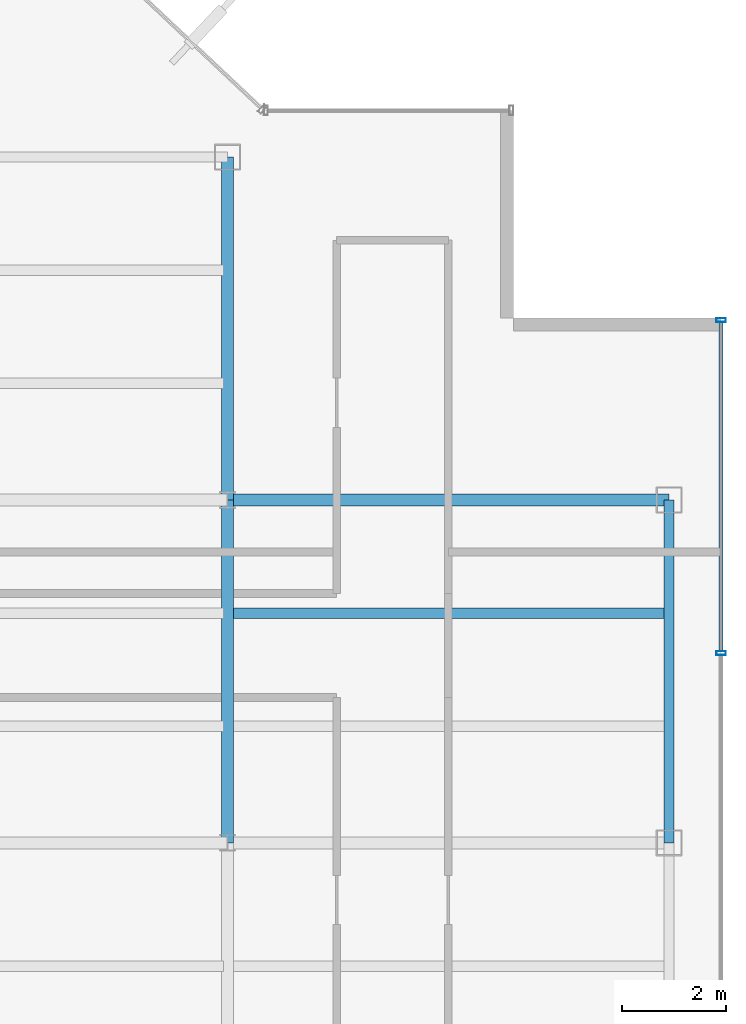
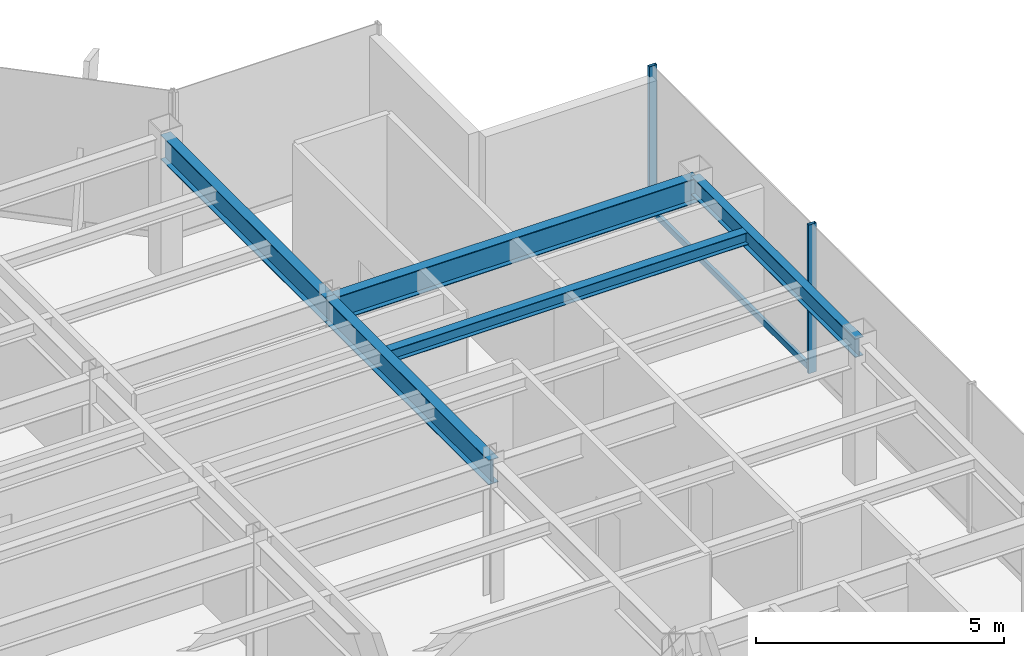
# One storey, part 11 of 22: 5 beams, 3 members, 1 element without a shape of its own.
"""IFC4 building model written with IfcOpenShell, lengths in metres."""

from ifc_helpers import new_model, si_unit, derived_unit, direction, frame, origin, origin_2d, place, context, subcontext, project, spatial, hollow_rectangle, i_section, extrude, source, transform, mapped, material, material_profile, profile_set, type_object, element, aggregate, save


model = new_model("IFC4")

# Units and contexts
model_context = context("Model", 3, precision=1e-05, world=origin(), true_north=direction((0.0, 1.0)))
body_context = subcontext(model_context, "Body", "Model", "MODEL_VIEW")
ifc_project = project(units=[si_unit("LENGTHUNIT", "METRE"), si_unit("AREAUNIT", "SQUARE_METRE"), si_unit("VOLUMEUNIT", "CUBIC_METRE"), si_unit("PLANEANGLEUNIT", "RADIAN"), si_unit("MASSUNIT", "GRAM", prefix="KILO"), derived_unit("THERMALTRANSMITTANCEUNIT", [(si_unit("POWERUNIT", "WATT"), 1), (si_unit("LENGTHUNIT", "METRE"), -2), (si_unit("THERMODYNAMICTEMPERATUREUNIT", "KELVIN"), -1)])], contexts=[model_context])

# Site, building, storey
site_placement = place(None, origin())
site = spatial("IfcSite", under=ifc_project, at=site_placement, CompositionType="ELEMENT")
building_placement = place(site_placement, origin())
building = spatial("IfcBuilding", under=site, at=building_placement, Name="Skarnbrae Concourse Arena and Tower", CompositionType="ELEMENT")
storey_placement = place(building_placement, frame((0.0, 0.0, 266.10009765625)))
storey = spatial("IfcBuildingStorey", under=building, at=storey_placement, Name="L69", CompositionType="ELEMENT", Elevation=266.10009765625)

# Beams
ifc_material_1 = material(Name="Steel CSA G40.21 350W", Category="steel")
ifc_material_profile_1 = material_profile(ifc_material_1, i_section(OverallWidth=0.22802734375, OverallDepth=0.60791015625, WebThickness=0.01123046875, FlangeThickness=0.017333984375, at=origin_2d()), Name="W610X113")
ifc_profile_set_1 = profile_set([ifc_material_profile_1], Name="Steel CSA G40.21 350W")
beam_type_1 = type_object("IfcBeamType", Name="BM-GIRD-W610X113", PredefinedType="BEAM", material=ifc_profile_set_1)
shared_shape_1 = source(origin(), body_context, "Body", "SweptSolid", [
    extrude(i_section(OverallWidth=0.22802734375, OverallDepth=0.60791015625, WebThickness=0.01123046875, FlangeThickness=0.017333984375, at=origin_2d()), origin(), (0.0, 0.0, 1.0), 6.60009765625),
])
beam_1_placement = place(storey_placement, frame((33.5, 21.199951171875, 3.095947265625), z_axis=(0.0, 1.0, 0.0), x_axis=(-1.0, 0.0, 0.0)))
element("IfcBeam", 1, at=beam_1_placement, inside=storey, type_object=beam_type_1, Name="L69 Primary N-S girder X33.5-2", PredefinedType="BEAM", context=body_context, shape_type="MappedRepresentation", body=[
    mapped(shared_shape_1, transform((0.0, 0.0, 0.0))),
])
shared_shape_2 = source(origin(), body_context, "Body", "SweptSolid", [
    extrude(i_section(OverallWidth=0.22802734375, OverallDepth=0.60791015625, WebThickness=0.01123046875, FlangeThickness=0.017333984375, at=origin_2d()), origin(), (0.0, 0.0, 1.0), 8.5),
])
beam_2_placement = place(storey_placement, frame((33.5, 27.800048828125, 3.095947265625), z_axis=(1.0, 0.0, 0.0), x_axis=(0.0, 1.0, 0.0)))
element("IfcBeam", 2, at=beam_2_placement, inside=storey, type_object=beam_type_1, Name="L69 Primary E-W girder Y27.8-6", PredefinedType="BEAM", context=body_context, shape_type="MappedRepresentation", body=[
    mapped(shared_shape_2, transform((0.0, 0.0, 0.0))),
])
ifc_material_profile_2 = material_profile(ifc_material_1, i_section(OverallWidth=0.19091796875, OverallDepth=0.4599609375, WebThickness=0.010009765625, FlangeThickness=0.01611328125, at=origin_2d()), Name="W460X82")
ifc_profile_set_2 = profile_set([ifc_material_profile_2], Name="Steel CSA G40.21 350W")
beam_type_2 = type_object("IfcBeamType", Name="BM-SPAN-W460X82", PredefinedType="SPANDREL", material=ifc_profile_set_2)
shared_shape_3 = source(origin(), body_context, "Body", "SweptSolid", [
    extrude(i_section(OverallWidth=0.19091796875, OverallDepth=0.4599609375, WebThickness=0.010009765625, FlangeThickness=0.01611328125, at=origin_2d()), origin(), (0.0, 0.0, 1.0), 6.60009765625),
])
beam_3_placement = place(storey_placement, frame((42.0, 21.199951171875, 3.169921875), z_axis=(0.0, 1.0, 0.0), x_axis=(-1.0, 0.0, 0.0)))
element("IfcBeam", 3, at=beam_3_placement, inside=storey, type_object=beam_type_2, Name="L69 Perimeter spandrel X42.0-3", PredefinedType="SPANDREL", context=body_context, shape_type="MappedRepresentation", body=[
    mapped(shared_shape_3, transform((0.0, 0.0, 0.0))),
])
shared_shape_4 = source(origin(), body_context, "Body", "SweptSolid", [
    extrude(i_section(OverallWidth=0.22802734375, OverallDepth=0.60791015625, WebThickness=0.01123046875, FlangeThickness=0.017333984375, at=origin_2d()), origin(), (0.0, 0.0, 1.0), 6.599853515625),
])
beam_4_placement = place(storey_placement, frame((33.5, 27.800048828125, 3.095947265625), z_axis=(0.0, 1.0, 0.0), x_axis=(-1.0, 0.0, 0.0)))
element("IfcBeam", 4, at=beam_4_placement, inside=storey, type_object=beam_type_1, Name="L69 Primary N-S girder X33.5-3", PredefinedType="BEAM", context=body_context, shape_type="MappedRepresentation", body=[
    mapped(shared_shape_4, transform((0.0, 0.0, 0.0))),
])
ifc_material_profile_3 = material_profile(ifc_material_1, i_section(OverallWidth=0.202880859375, OverallDepth=0.302978515625, WebThickness=0.007568359375, FlangeThickness=0.01318359375, at=origin_2d()), Name="W310X60")
ifc_profile_set_3 = profile_set([ifc_material_profile_3], Name="Steel CSA G40.21 350W")
beam_type_3 = type_object("IfcBeamType", Name="BM-JOIST-W310X60", PredefinedType="JOIST", material=ifc_profile_set_3)
shared_shape_5 = source(origin(), body_context, "Body", "SweptSolid", [
    extrude(i_section(OverallWidth=0.202880859375, OverallDepth=0.302978515625, WebThickness=0.007568359375, FlangeThickness=0.01318359375, at=origin_2d()), origin(), (0.0, 0.0, 1.0), 8.33984375),
])
beam_5_placement = place(storey_placement, frame((33.580078125, 25.6220703125, 3.248291015625), z_axis=(1.0, 0.0, 0.0), x_axis=(0.0, 1.0, 0.0)))
element("IfcBeam", 5, at=beam_5_placement, inside=storey, type_object=beam_type_3, Name="L69 Secondary floor joist 2.2.6", PredefinedType="JOIST", context=body_context, shape_type="MappedRepresentation", body=[
    mapped(shared_shape_5, transform((0.0, 0.0, 0.0))),
])

# Curtain wall, members
ifc_material_2 = material(Name="Bronze anodised aluminium 6063-T6", Category="aluminium")
curtain_wall_type = type_object("IfcCurtainWallType", Name="CW-SYS-05-HIGHZONE", PredefinedType="USERDEFINED", material=ifc_material_2)
curtain_wall_placement = place(storey_placement, origin())
curtain_wall = element("IfcCurtainWall", 6, at=curtain_wall_placement, inside=storey, type_object=curtain_wall_type, Name="L69 Unitised curtain wall CW-L69-E04", ObjectType="UNITISED CURTAIN WALL", PredefinedType="USERDEFINED")
ifc_material_profile_4 = material_profile(ifc_material_2, hollow_rectangle(XDim=0.074951171875, YDim=0.179931640625, WallThickness=0.00390625, at=origin_2d()), Name="ALU-MULL-75X180")
ifc_profile_set_4 = profile_set([ifc_material_profile_4], Name="Bronze anodised aluminium 6063-T6")
member_type_1 = type_object("IfcMemberType", Name="CWM-CW-05", PredefinedType="MULLION", material=ifc_profile_set_4)
shared_shape_6 = source(origin(), body_context, "Body", "SweptSolid", [
    extrude(hollow_rectangle(XDim=0.074951171875, YDim=0.179931640625, WallThickness=0.00390625, at=origin_2d()), origin(), (0.0, 0.0, 1.0), 3.64990234375),
])
member_1_placement = place(storey_placement, frame((43.0, 24.85009765625, 0.0), z_axis=(0.0, 0.0, 1.0), x_axis=(0.0, 1.0, 0.0)))
member_1 = element("IfcMember", 7, at=member_1_placement, type_object=member_type_1, Name="CW-L69-E04 Mullion 4", PredefinedType="MULLION", context=body_context, shape_type="MappedRepresentation", body=[
    mapped(shared_shape_6, transform((0.0, 0.0, 0.0))),
])
member_2_placement = place(storey_placement, frame((43.0, 31.262451171875, 0.0), z_axis=(0.0, 0.0, 1.0), x_axis=(0.0, 1.0, 0.0)))
member_2 = element("IfcMember", 8, at=member_2_placement, type_object=member_type_1, Name="CW-L69-E04 Mullion 5", PredefinedType="MULLION", context=body_context, shape_type="MappedRepresentation", body=[
    mapped(shared_shape_6, transform((0.0, 0.0, 0.0))),
])
ifc_material_profile_5 = material_profile(ifc_material_2, hollow_rectangle(XDim=0.074951171875, YDim=0.14990234375, WallThickness=0.00390625, at=origin_2d()), Name="ALU-TRAN-75X150")
ifc_profile_set_5 = profile_set([ifc_material_profile_5], Name="Bronze anodised aluminium 6063-T6")
member_type_2 = type_object("IfcMemberType", Name="CWT-CW-05", PredefinedType="USERDEFINED", material=ifc_profile_set_5)
shared_shape_7 = source(origin(), body_context, "Body", "SweptSolid", [
    extrude(hollow_rectangle(XDim=0.074951171875, YDim=0.14990234375, WallThickness=0.00390625, at=origin_2d()), origin(), (0.0, 0.0, 1.0), 6.337646484375),
])
member_3_placement = place(storey_placement, frame((43.0, 24.887451171875, 0.074951171875), z_axis=(0.0, 1.0, 0.0), x_axis=(-1.0, 0.0, 0.0)))
member_3 = element("IfcMember", 9, at=member_3_placement, type_object=member_type_2, Name="CW-L69-E04 Transom 4", ObjectType="TRANSOM", PredefinedType="USERDEFINED", context=body_context, shape_type="MappedRepresentation", body=[
    mapped(shared_shape_7, transform((0.0, 0.0, 0.0))),
])
aggregate(curtain_wall, [member_1, member_2, member_3])

save(model, "model.ifc")
